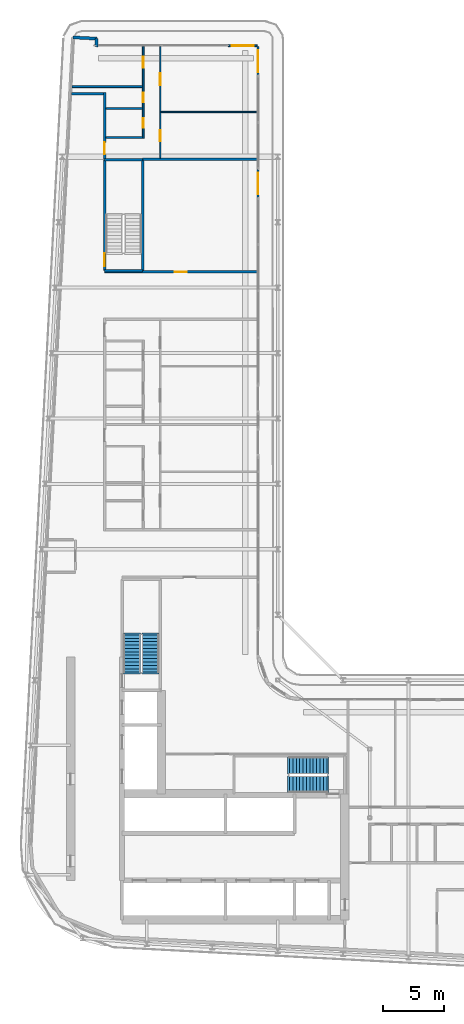
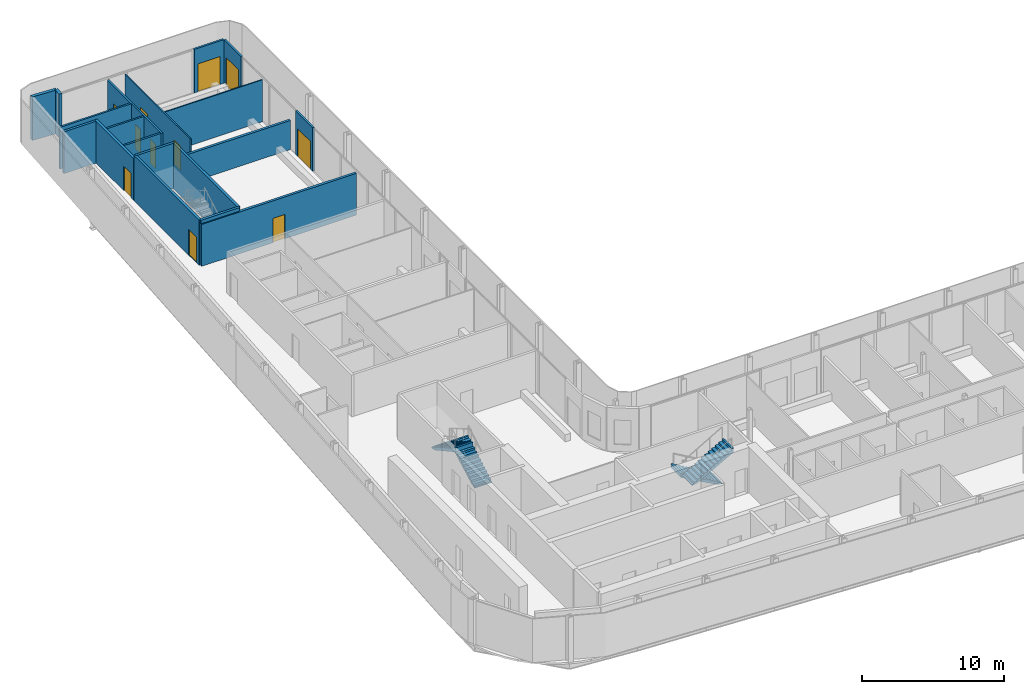
# One storey, part 14 of 22: 19 walls, 11 doors, 4 stair flights, 11 openings, 2 elements without a shape of their own.
"""IFC4 building model written with IfcOpenShell, lengths in metres."""

import ifcopenshell
import ifcopenshell.guid

model = None  # the IFC model being written
_history = None  # IfcOwnerHistory: only IFC2X3 demands one
_inside = {}  # id of a spatial element -> (the spatial element, [elements in it])
_under = {}  # id of a project, library or spatial element -> (it, [spatial elements below it])
_declared = {}  # id of a project -> (the project, [libraries it declares])
_typed = {}  # id of a type object -> (the type object, [elements of that type])
_made_of = {}  # id of a material, layer set ... -> (it, [elements and type objects made of it])


def new_model(schema):
    """Start an empty IFC model of exactly this schema.

    Asked for "IFC4X3", IfcOpenShell would pick the latest addendum, in which some entities
    have other attributes; the version numbers below select the first issue.
    IFC2X3 requires an IfcOwnerHistory on every rooted entity: one is made here for all.
    """
    global model, _history
    if schema == "IFC4X3":
        model = ifcopenshell.file(schema_version=(4, 3, 0, 0))
    else:
        model = ifcopenshell.file(schema=schema)
    _inside.clear()
    _under.clear()
    _declared.clear()
    _typed.clear()
    _made_of.clear()
    _history = None
    if model.schema == "IFC2X3":
        org = make("IfcOrganization", Name="unknown")
        user = make(
            "IfcPersonAndOrganization",
            ThePerson=make("IfcPerson", FamilyName="unknown"),
            TheOrganization=org,
        )
        app = make(
            "IfcApplication",
            ApplicationDeveloper=org,
            Version="unknown",
            ApplicationFullName="unknown",
            ApplicationIdentifier="unknown",
        )
        _history = make(
            "IfcOwnerHistory",
            OwningUser=user,
            OwningApplication=app,
            ChangeAction="ADDED",
            CreationDate=0,
        )
    return model


def make(cls, **values):
    """One entity of the class cls with the attributes given. An attribute that is None is left unset."""
    return model.create_entity(
        cls, **{name: value for name, value in values.items() if value is not None}
    )


def rooted(cls, **values):
    """An entity with a GlobalId (a new one), such as an element, a storey or a relation."""
    return make(cls, GlobalId=ifcopenshell.guid.new(), OwnerHistory=_history, **values)


def si_unit(unit_type, name, prefix=None):
    """IfcSIUnit, for example si_unit("LENGTHUNIT", "METRE", prefix="MILLI")."""
    return make("IfcSIUnit", UnitType=unit_type, Prefix=prefix, Name=name)


def assignment(units):
    """IfcUnitAssignment: the units of a project."""
    return None if units is None else make("IfcUnitAssignment", Units=units)


def point(xyz):
    """IfcCartesianPoint."""
    return None if xyz is None else make("IfcCartesianPoint", Coordinates=xyz)


def direction(xyz):
    """IfcDirection."""
    return None if xyz is None else make("IfcDirection", DirectionRatios=xyz)


def frame(location, z_axis=None, x_axis=None):
    """IfcAxis2Placement3D, a coordinate frame: its origin and axes. An axis left out is left unset."""
    return make(
        "IfcAxis2Placement3D",
        Location=point(location),
        Axis=direction(z_axis),
        RefDirection=direction(x_axis),
    )


def frame_2d(location, x_axis=None):
    """IfcAxis2Placement2D, a coordinate frame in the plane: its origin and x axis."""
    return make(
        "IfcAxis2Placement2D", Location=point(location), RefDirection=direction(x_axis)
    )


def origin():
    """The frame at (0, 0, 0) with its axes left unset."""
    return frame((0.0, 0.0, 0.0))


def place(relative_to, where):
    """IfcLocalPlacement: puts the frame where relative to a parent placement (None: the world)."""
    return make(
        "IfcLocalPlacement", PlacementRelTo=relative_to, RelativePlacement=where
    )


def context(
    kind, dimensions, precision=None, world=None, true_north=None, identifier=None
):
    """IfcGeometricRepresentationContext, for example the 3D "Model" context."""
    return make(
        "IfcGeometricRepresentationContext",
        ContextIdentifier=identifier,
        ContextType=kind,
        CoordinateSpaceDimension=dimensions,
        Precision=precision,
        WorldCoordinateSystem=world,
        TrueNorth=true_north,
    )


def subcontext(parent, identifier, kind, view, scale=None):
    """IfcGeometricRepresentationSubContext, for example "Body" below "Model"."""
    return make(
        "IfcGeometricRepresentationSubContext",
        ContextIdentifier=identifier,
        ContextType=kind,
        ParentContext=parent,
        TargetScale=scale,
        TargetView=view,
    )


def project(units=None, contexts=None):
    """IfcProject with its units and contexts."""
    return rooted(
        "IfcProject",
        Name="project",
        RepresentationContexts=contexts,
        UnitsInContext=assignment(units),
    )


def spatial(cls, under=None, at=None, **own):
    """A site, building, storey or space (cls), placed at a placement, below another one or the project."""
    s = rooted(cls, ObjectPlacement=at, **own)
    if under is not None:
        _under.setdefault(under.id(), (under, []))[1].append(s)
    return s


def polyline(points):
    """IfcPolyline through the points."""
    return make("IfcPolyline", Points=[point(p) for p in points])


def profile(cls, at=None, kind="AREA", **sizes):
    """A parametric profile (cls). Its sizes go by their IFC names, for example OverallWidth=200.0."""
    return make(cls, ProfileType=kind, Position=at, **sizes)


def rectangle(**sizes):
    """IfcRectangleProfileDef."""
    return profile("IfcRectangleProfileDef", **sizes)


def outline(outer, holes=None, kind="AREA"):
    """IfcArbitraryClosedProfileDef: a profile drawn as a closed curve; with holes, ...WithVoids."""
    if holes is None:
        return make("IfcArbitraryClosedProfileDef", ProfileType=kind, OuterCurve=outer)
    return make(
        "IfcArbitraryProfileDefWithVoids",
        ProfileType=kind,
        OuterCurve=outer,
        InnerCurves=holes,
    )


def extrude(swept, where, along, depth):
    """IfcExtrudedAreaSolid: the profile swept, set in the frame where, extruded along a direction by depth."""
    return make(
        "IfcExtrudedAreaSolid",
        SweptArea=swept,
        Position=where,
        ExtrudedDirection=direction(along),
        Depth=depth,
    )


def shape(context_of_items, identifier, shape_type, items):
    """IfcShapeRepresentation: the items that make up one representation, for example the "Body"."""
    return make(
        "IfcShapeRepresentation",
        ContextOfItems=context_of_items,
        RepresentationIdentifier=identifier,
        RepresentationType=shape_type,
        Items=items,
    )


def source(mapping_origin, context_of_items, identifier, shape_type, items):
    """IfcRepresentationMap: a shape defined once, which mapped items show again and again."""
    return make(
        "IfcRepresentationMap",
        MappingOrigin=mapping_origin,
        MappedRepresentation=shape(context_of_items, identifier, shape_type, items),
    )


def transform(
    local_origin,
    x_axis=None,
    y_axis=None,
    z_axis=None,
    scale=None,
    scale2=None,
    scale3=None,
    uniform=True,
):
    """IfcCartesianTransformationOperator3D, or its non-uniform kind. x_axis, y_axis, z_axis: its Axis1, 2, 3."""
    if uniform:
        return make(
            "IfcCartesianTransformationOperator3D",
            Axis1=direction(x_axis),
            Axis2=direction(y_axis),
            LocalOrigin=point(local_origin),
            Scale=scale,
            Axis3=direction(z_axis),
        )
    return make(
        "IfcCartesianTransformationOperator3DnonUniform",
        Axis1=direction(x_axis),
        Axis2=direction(y_axis),
        LocalOrigin=point(local_origin),
        Scale=scale,
        Axis3=direction(z_axis),
        Scale2=scale2,
        Scale3=scale3,
    )


def mapped(mapping_source, mapping_target):
    """IfcMappedItem: shows the shape of a source again, moved by a transform."""
    return make(
        "IfcMappedItem", MappingSource=mapping_source, MappingTarget=mapping_target
    )


def material(Name=None, Category=None):
    """IfcMaterial."""
    return make("IfcMaterial", Name=Name, Category=Category)


def layer(
    of_material, thickness, ventilated=None, Name=None, Category=None, Priority=None
):
    """IfcMaterialLayer: one layer of a wall or slab, of a material (None: an air gap)."""
    return make(
        "IfcMaterialLayer",
        Material=of_material,
        LayerThickness=thickness,
        IsVentilated=ventilated,
        Name=Name,
        Category=Category,
        Priority=Priority,
    )


def layer_set(layers, Name=None):
    """IfcMaterialLayerSet."""
    return make("IfcMaterialLayerSet", MaterialLayers=layers, LayerSetName=Name)


def made_of(thing, what):
    """Note that an element or type object is made of a material, layer set ...; save() writes the relation."""
    if what is not None:
        _made_of.setdefault(what.id(), (what, []))[1].append(thing)
    return thing


def type_object(cls, material=None, **own):
    """A type object (cls), such as IfcWallType, which elements share."""
    return made_of(rooted(cls, **own), material)


def element(
    cls,
    number,
    at=None,
    inside=None,
    cuts=None,
    type_object=None,
    material=None,
    context=None,
    identifier="Body",
    shape_type=None,
    held_by="IfcProductDefinitionShape",
    body=None,
    shapes=None,
    **own,
):
    """One element of the class cls, such as IfcWall. Its Tag is "e" and its number.

    at: its placement. inside: the storey or other place that contains it. cuts: it is an
    opening in that element (IfcRelVoidsElement). A single representation is given by context,
    identifier, shape_type and body (its items); several are given by shapes. held_by: the class
    of the entity that holds the representations. save() writes the other relations.
    """
    e = rooted(cls, Tag="e%d" % number, ObjectPlacement=at, **own)
    if body is not None:
        shapes = [shape(context, identifier, shape_type, body)]
    if shapes is not None:
        e.Representation = make(held_by, Representations=shapes)
    if inside is not None:
        _inside.setdefault(inside.id(), (inside, []))[1].append(e)
    if cuts is not None:
        rooted(
            "IfcRelVoidsElement", RelatingBuildingElement=cuts, RelatedOpeningElement=e
        )
    if type_object is not None:
        _typed.setdefault(type_object.id(), (type_object, []))[1].append(e)
    return made_of(e, material)


def fill(opening, filler):
    """IfcRelFillsElement: the door or window that sits in an opening."""
    return rooted(
        "IfcRelFillsElement",
        RelatingOpeningElement=opening,
        RelatedBuildingElement=filler,
    )


def aggregate(whole, parts):
    """IfcRelAggregates: a whole, such as a stair, and the parts it consists of."""
    return rooted("IfcRelAggregates", RelatingObject=whole, RelatedObjects=parts)


def save(model, path):
    """Write the relations noted so far, then the file.

    IfcRelAggregates (storeys below a building ...), IfcRelContainedInSpatialStructure (elements
    in a storey), IfcRelDefinesByType, IfcRelAssociatesMaterial and IfcRelDeclares: one each for
    every whole, place, type object, material and project.
    """
    for whole, parts in _under.values():
        aggregate(whole, parts)
    for where, things in _inside.values():
        rooted(
            "IfcRelContainedInSpatialStructure",
            RelatedElements=things,
            RelatingStructure=where,
        )
    for kind, things in _typed.values():
        rooted("IfcRelDefinesByType", RelatedObjects=things, RelatingType=kind)
    for what, things in _made_of.values():
        rooted("IfcRelAssociatesMaterial", RelatedObjects=things, RelatingMaterial=what)
    for by, libraries in _declared.values():
        rooted("IfcRelDeclares", RelatingContext=by, RelatedDefinitions=libraries)
    model.write(path)


model = new_model("IFC4")

# Units and contexts
model_context = context("Model", 3, precision=1e-05, world=origin(), true_north=direction((0.0, 1.0)))
body_context = subcontext(model_context, "Body", "Model", "MODEL_VIEW")
ifc_project = project(units=[si_unit("LENGTHUNIT", "METRE"), si_unit("AREAUNIT", "SQUARE_METRE"), si_unit("VOLUMEUNIT", "CUBIC_METRE"), si_unit("PLANEANGLEUNIT", "RADIAN"), si_unit("MASSUNIT", "GRAM", prefix="KILO")], contexts=[model_context])

# Site, building, storey
site_placement = place(None, origin())
site = spatial("IfcSite", under=ifc_project, at=site_placement, CompositionType="ELEMENT")
building_placement = place(site_placement, origin())
building = spatial("IfcBuilding", under=site, at=building_placement, Name="Kheshtan School and Residences Tower", CompositionType="ELEMENT")
storey_placement = place(building_placement, frame((0.0, 0.0, 251.300048828125)))
storey = spatial("IfcBuildingStorey", under=building, at=storey_placement, Name="L59", CompositionType="ELEMENT", Elevation=251.300048828125)

# Wall
ifc_material_1 = material(Name="Gypsum board on steel studs with fire boards", Category="steel")
ifc_layer_1 = layer(ifc_material_1, 0.199951171875)
ifc_layer_set_1 = layer_set([ifc_layer_1], Name="Corridor wall 200")
wall_type_1 = type_object("IfcWallType", Name="Corridor wall 200", PredefinedType="PARTITIONING", material=ifc_layer_set_1)
wall_1_placement = place(storey_placement, frame((30.584716796875, 94.0, 0.0), z_axis=(0.0, 0.0, 1.0), x_axis=(1.0, 0.0, 0.0)))
element("IfcWall", 1, at=wall_1_placement, inside=storey, type_object=wall_type_1, Name="Partition L59-002", PredefinedType="PARTITIONING", context=body_context, shape_type="SweptSolid", body=[
    extrude(rectangle(XDim=2.615234375, YDim=0.199951171875, at=frame_2d((1.3076171875, 0.0))), origin(), (0.0, 0.0, 1.0), 3.599853515625),
])

# Wall, opening, door
wall_2_placement = place(storey_placement, frame((33.300048828125, 79.300048828125, 0.0), z_axis=(0.0, 0.0, 1.0), x_axis=(1.0, 0.0, 0.0)))
wall_2 = element("IfcWall", 2, at=wall_2_placement, inside=storey, type_object=wall_type_1, Name="Partition L59-004", PredefinedType="PARTITIONING", context=body_context, shape_type="SweptSolid", body=[
    extrude(rectangle(XDim=12.599853515625, YDim=0.199951171875, at=frame_2d((6.2998046875, 0.0))), origin(), (0.0, 0.0, 1.0), 3.599853515625),
])
opening_1_placement = place(wall_2_placement, frame((5.794921875, 0.0, 0.0)))
opening_1 = element("IfcOpeningElement", 3, at=opening_1_placement, cuts=wall_2, Name="Opening D58-043", PredefinedType="OPENING", context=body_context, shape_type="SweptSolid", body=[
    extrude(rectangle(XDim=1.0, YDim=2.10009765625, at=frame_2d((0.5, 1.050048828125))), frame((0.0, 0.10986328125, 0.0), z_axis=(0.0, -1.0, 0.0), x_axis=(1.0, 0.0, 0.0)), (0.0, 0.0, 1.0), 0.219970703125),
])
ifc_material_2 = material(Name="Steel-framed fire-resisting door leaf", Category="steel")
door_type_1 = type_object("IfcDoorType", Name="Fire door FD60 1000 x 2100", OperationType="SINGLE_SWING_LEFT", PredefinedType="DOOR", material=ifc_material_2)
shared_shape_1 = source(origin(), body_context, "Body", "SweptSolid", [
    extrude(rectangle(XDim=1.0, YDim=2.10009765625, at=frame_2d((0.5, 1.050048828125))), frame((0.0, 0.02490234375, 0.0), z_axis=(0.0, -1.0, 0.0), x_axis=(1.0, 0.0, 0.0)), (0.0, 0.0, 1.0), 0.050048828125),
])
door_1_placement = place(opening_1_placement, origin())
door_1 = element("IfcDoor", 4, at=door_1_placement, inside=storey, type_object=door_type_1, Name="Door D58-043", OperationType="SINGLE_SWING_RIGHT", OverallHeight=2.10009765625, OverallWidth=1.0, PredefinedType="DOOR", context=body_context, shape_type="MappedRepresentation", body=[
    mapped(shared_shape_1, transform((0.0, 0.0, 0.0), x_axis=(1.0, 0.0, 0.0), y_axis=(0.0, 1.0, 0.0), z_axis=(0.0, 0.0, 1.0), scale=1.0)),
])
fill(opening_1, door_1)

wall_3_placement = place(storey_placement, frame((33.300048828125, 88.60009765625, 0.0), z_axis=(0.0, 0.0, 1.0), x_axis=(0.0, 1.0, 0.0)))
wall_3 = element("IfcWall", 5, at=wall_3_placement, inside=storey, type_object=wall_type_1, Name="Partition L59-005", PredefinedType="PARTITIONING", context=body_context, shape_type="SweptSolid", body=[
    extrude(rectangle(XDim=5.5, YDim=0.199951171875, at=frame_2d((2.75, 0.0))), origin(), (0.0, 0.0, 1.0), 3.599853515625),
])
opening_2_placement = place(wall_3_placement, frame((0.39990234375, 0.0, 0.0)))
opening_2 = element("IfcOpeningElement", 6, at=opening_2_placement, cuts=wall_3, Name="Opening D58-036", PredefinedType="OPENING", context=body_context, shape_type="SweptSolid", body=[
    extrude(rectangle(XDim=1.0, YDim=2.10009765625, at=frame_2d((0.5, 1.050048828125))), frame((0.0, 0.10986328125, 0.0), z_axis=(0.0, -1.0, 0.0), x_axis=(1.0, 0.0, 0.0)), (0.0, 0.0, 1.0), 0.219970703125),
])
door_type_2 = type_object("IfcDoorType", Name="Fire door FD30S 1000 x 2100", OperationType="SINGLE_SWING_LEFT", PredefinedType="DOOR", material=ifc_material_2)
shared_shape_2 = source(origin(), body_context, "Body", "SweptSolid", [
    extrude(rectangle(XDim=1.0, YDim=2.10009765625, at=frame_2d((0.5, 1.050048828125))), frame((0.0, 0.02490234375, 0.0), z_axis=(0.0, -1.0, 0.0), x_axis=(1.0, 0.0, 0.0)), (0.0, 0.0, 1.0), 0.050048828125),
])
door_2_placement = place(opening_2_placement, origin())
door_2 = element("IfcDoor", 7, at=door_2_placement, inside=storey, type_object=door_type_2, Name="Door D58-036", OperationType="SINGLE_SWING_LEFT", OverallHeight=2.10009765625, OverallWidth=1.0, PredefinedType="DOOR", context=body_context, shape_type="MappedRepresentation", body=[
    mapped(shared_shape_2, transform((0.0, 0.0, 0.0), x_axis=(1.0, 0.0, 0.0), y_axis=(0.0, 1.0, 0.0), z_axis=(0.0, 0.0, 1.0), scale=1.0)),
])
fill(opening_2, door_2)

# Walls
ifc_material_3 = material(Name="Concrete C40/50 with ceramic cladding and mineral wool insulation", Category="concrete")
ifc_layer_2 = layer(ifc_material_3, 0.25)
ifc_layer_set_2 = layer_set([ifc_layer_2], Name="External wall 250 ceramic clad")
wall_type_2 = type_object("IfcWallType", Name="External wall 250 ceramic clad", PredefinedType="SOLIDWALL", material=ifc_layer_set_2)
wall_4_placement = place(storey_placement, frame((30.705078125, 98.6640625, 0.0), z_axis=(0.0, 0.0, 1.0), x_axis=(0.998577785791, -0.053314216913, 0.0)))
element("IfcWall", 8, at=wall_4_placement, inside=storey, type_object=wall_type_2, Name="External wall L59 5", PredefinedType="SOLIDWALL", context=body_context, shape_type="SweptSolid", body=[
    extrude(rectangle(XDim=1.95068359375, YDim=0.25, at=frame_2d((0.975341796875, 0.0))), origin(), (0.0, 0.0, 1.0), 3.75),
])
wall_5_placement = place(storey_placement, frame((32.653076171875, 98.56005859375, 0.0), z_axis=(0.0, 0.0, 1.0), x_axis=(-0.054093451632, -0.998535877418, 0.0)))
element("IfcWall", 9, at=wall_5_placement, inside=storey, type_object=wall_type_2, Name="External wall L59 6", PredefinedType="SOLIDWALL", context=body_context, shape_type="SweptSolid", body=[
    extrude(rectangle(XDim=0.66796875, YDim=0.25, at=frame_2d((0.333984375, 0.0))), origin(), (0.0, 0.0, 1.0), 3.75),
])

# Wall, opening, door
ifc_material_4 = material(Name="Aluminium frame wall with insulated infill", Category="aluminium")
ifc_layer_3 = layer(ifc_material_4, 0.14990234375)
ifc_layer_set_3 = layer_set([ifc_layer_3], Name="Glazing frame wall 150")
wall_type_3 = type_object("IfcWallType", Name="Glazing frame wall 150", PredefinedType="SOLIDWALL", material=ifc_layer_set_3)
wall_6_placement = place(storey_placement, frame((43.5, 97.97509765625, 0.0), z_axis=(0.0, 0.0, 1.0), x_axis=(1.0, 0.0, 0.0)))
wall_6 = element("IfcWall", 10, at=wall_6_placement, inside=storey, type_object=wall_type_3, Name="Balcony door wall L59 7.1", PredefinedType="SOLIDWALL", context=body_context, shape_type="SweptSolid", body=[
    extrude(rectangle(XDim=2.39990234375, YDim=0.14990234375, at=frame_2d((1.199951171875, 0.0))), origin(), (0.0, 0.0, 1.0), 3.75),
])
opening_3_placement = place(wall_6_placement, frame((0.300048828125, 0.0, 0.0)))
opening_3 = element("IfcOpeningElement", 11, at=opening_3_placement, cuts=wall_6, Name="Opening BD", PredefinedType="OPENING", context=body_context, shape_type="SweptSolid", body=[
    extrude(rectangle(XDim=1.800048828125, YDim=2.39990234375, at=frame_2d((0.89990234375, 1.199951171875))), frame((0.0, 0.0849609375, 0.0), z_axis=(0.0, -1.0, 0.0), x_axis=(1.0, 0.0, 0.0)), (0.0, 0.0, 1.0), 0.169921875),
])
ifc_material_5 = material(Name="Clear low-e glass in thermally broken aluminium frame", Category="aluminium")
door_type_3 = type_object("IfcDoorType", Name="Balcony sliding door", OperationType="SLIDING_TO_LEFT", PredefinedType="DOOR", material=ifc_material_5)
shared_shape_3 = source(origin(), body_context, "Body", "SweptSolid", [
    extrude(rectangle(XDim=1.800048828125, YDim=2.39990234375, at=frame_2d((0.89990234375, 1.199951171875))), frame((0.0, 0.02490234375, 0.0), z_axis=(0.0, -1.0, 0.0), x_axis=(1.0, 0.0, 0.0)), (0.0, 0.0, 1.0), 0.050048828125),
])
door_3_placement = place(opening_3_placement, origin())
door_3 = element("IfcDoor", 12, at=door_3_placement, inside=storey, type_object=door_type_3, Name="Balcony door L59 7.1", OperationType="SLIDING_TO_LEFT", OverallHeight=2.39990234375, OverallWidth=1.800048828125, PredefinedType="DOOR", context=body_context, shape_type="MappedRepresentation", body=[
    mapped(shared_shape_3, transform((0.0, 0.0, 0.0), x_axis=(1.0, 0.0, 0.0), y_axis=(0.0, 1.0, 0.0), z_axis=(0.0, 0.0, 1.0), scale=1.0)),
])
fill(opening_3, door_3)

wall_7_placement = place(storey_placement, frame((45.97509765625, 97.89990234375, 0.0), z_axis=(0.0, 0.0, 1.0), x_axis=(0.0, -1.0, 0.0)))
wall_7 = element("IfcWall", 13, at=wall_7_placement, inside=storey, type_object=wall_type_3, Name="Balcony door wall L59 8.1", PredefinedType="SOLIDWALL", context=body_context, shape_type="SweptSolid", body=[
    extrude(rectangle(XDim=2.39990234375, YDim=0.14990234375, at=frame_2d((1.199951171875, 0.0))), origin(), (0.0, 0.0, 1.0), 3.75),
])
opening_4_placement = place(wall_7_placement, frame((0.300048828125, 0.0, 0.0)))
opening_4 = element("IfcOpeningElement", 14, at=opening_4_placement, cuts=wall_7, Name="Opening BD", PredefinedType="OPENING", context=body_context, shape_type="SweptSolid", body=[
    extrude(rectangle(XDim=1.800048828125, YDim=2.39990234375, at=frame_2d((0.89990234375, 1.199951171875))), frame((0.0, 0.0849609375, 0.0), z_axis=(0.0, -1.0, 0.0), x_axis=(1.0, 0.0, 0.0)), (0.0, 0.0, 1.0), 0.169921875),
])
door_4_placement = place(opening_4_placement, origin())
door_4 = element("IfcDoor", 15, at=door_4_placement, inside=storey, type_object=door_type_3, Name="Balcony door L59 8.1", OperationType="SLIDING_TO_LEFT", OverallHeight=2.39990234375, OverallWidth=1.800048828125, PredefinedType="DOOR", context=body_context, shape_type="MappedRepresentation", body=[
    mapped(shared_shape_3, transform((0.0, 0.0, 0.0), x_axis=(1.0, 0.0, 0.0), y_axis=(0.0, 1.0, 0.0), z_axis=(0.0, 0.0, 1.0), scale=1.0)),
])
fill(opening_4, door_4)

wall_8_placement = place(storey_placement, frame((45.97509765625, 87.805908203125, 0.0), z_axis=(0.0, 0.0, 1.0), x_axis=(0.0, -1.0, 0.0)))
wall_8 = element("IfcWall", 16, at=wall_8_placement, inside=storey, type_object=wall_type_3, Name="Balcony door wall L59 8.2", PredefinedType="SOLIDWALL", context=body_context, shape_type="SweptSolid", body=[
    extrude(rectangle(XDim=2.39990234375, YDim=0.14990234375, at=frame_2d((1.199951171875, 0.0))), origin(), (0.0, 0.0, 1.0), 3.75),
])
opening_5_placement = place(wall_8_placement, frame((0.300048828125, 0.0, 0.0)))
opening_5 = element("IfcOpeningElement", 17, at=opening_5_placement, cuts=wall_8, Name="Opening BD", PredefinedType="OPENING", context=body_context, shape_type="SweptSolid", body=[
    extrude(rectangle(XDim=1.800048828125, YDim=2.39990234375, at=frame_2d((0.89990234375, 1.199951171875))), frame((0.0, 0.0849609375, 0.0), z_axis=(0.0, -1.0, 0.0), x_axis=(1.0, 0.0, 0.0)), (0.0, 0.0, 1.0), 0.169921875),
])
door_5_placement = place(opening_5_placement, origin())
door_5 = element("IfcDoor", 18, at=door_5_placement, inside=storey, type_object=door_type_3, Name="Balcony door L59 8.2", OperationType="SLIDING_TO_LEFT", OverallHeight=2.39990234375, OverallWidth=1.800048828125, PredefinedType="DOOR", context=body_context, shape_type="MappedRepresentation", body=[
    mapped(shared_shape_3, transform((0.0, 0.0, 0.0), x_axis=(1.0, 0.0, 0.0), y_axis=(0.0, 1.0, 0.0), z_axis=(0.0, 0.0, 1.0), scale=1.0)),
])
fill(opening_5, door_5)

# Wall, openings, doors
ifc_material_6 = material(Name="Gypsum board on steel studs", Category="steel")
ifc_layer_4 = layer(ifc_material_6, 0.10009765625)
ifc_layer_set_4 = layer_set([ifc_layer_4], Name="Gypsum partition 100")
wall_type_4 = type_object("IfcWallType", Name="Gypsum partition 100", PredefinedType="PARTITIONING", material=ifc_layer_set_4)
wall_9_placement = place(storey_placement, frame((37.89990234375, 88.699951171875, 0.0), z_axis=(0.0, 0.0, 1.0), x_axis=(0.0, 1.0, 0.0)))
wall_9 = element("IfcWall", 19, at=wall_9_placement, inside=storey, type_object=wall_type_4, Name="Partition L59-024", PredefinedType="PARTITIONING", context=body_context, shape_type="SweptSolid", body=[
    extrude(rectangle(XDim=9.199951171875, YDim=0.10009765625, at=frame_2d((4.60009765625, 0.0))), origin(), (0.0, 0.0, 1.0), 3.599853515625),
])
opening_6_placement = place(wall_9_placement, frame((1.39990234375, 0.0, 0.0)))
opening_6 = element("IfcOpeningElement", 20, at=opening_6_placement, cuts=wall_9, Name="Opening D58-035", PredefinedType="OPENING", context=body_context, shape_type="SweptSolid", body=[
    extrude(rectangle(XDim=0.89990234375, YDim=2.10009765625, at=frame_2d((0.449951171875, 1.050048828125))), frame((0.0, 0.06005859375, 0.0), z_axis=(0.0, -1.0, 0.0), x_axis=(1.0, 0.0, 0.0)), (0.0, 0.0, 1.0), 0.1201171875),
])
opening_7_placement = place(wall_9_placement, frame((6.0, 0.0, 0.0)))
opening_7 = element("IfcOpeningElement", 21, at=opening_7_placement, cuts=wall_9, Name="Opening D58-038", PredefinedType="OPENING", context=body_context, shape_type="SweptSolid", body=[
    extrude(rectangle(XDim=1.0, YDim=2.10009765625, at=frame_2d((0.5, 1.050048828125))), frame((0.0, 0.06005859375, 0.0), z_axis=(0.0, -1.0, 0.0), x_axis=(1.0, 0.0, 0.0)), (0.0, 0.0, 1.0), 0.1201171875),
])
ifc_material_7 = material(Name="Veneered timber door leaf", Category="wood")
door_type_4 = type_object("IfcDoorType", Name="Door 1000 x 2100", OperationType="SINGLE_SWING_LEFT", PredefinedType="DOOR", material=ifc_material_7)
shared_shape_4 = source(origin(), body_context, "Body", "SweptSolid", [
    extrude(rectangle(XDim=1.0, YDim=2.10009765625, at=frame_2d((0.5, 1.050048828125))), frame((0.0, 0.02490234375, 0.0), z_axis=(0.0, -1.0, 0.0), x_axis=(1.0, 0.0, 0.0)), (0.0, 0.0, 1.0), 0.050048828125),
])
door_6_placement = place(opening_7_placement, origin())
door_6 = element("IfcDoor", 22, at=door_6_placement, inside=storey, type_object=door_type_4, Name="Door D58-038", OperationType="SINGLE_SWING_RIGHT", OverallHeight=2.10009765625, OverallWidth=1.0, PredefinedType="DOOR", context=body_context, shape_type="MappedRepresentation", body=[
    mapped(shared_shape_4, transform((0.0, 0.0, 0.0), x_axis=(1.0, 0.0, 0.0), y_axis=(0.0, 1.0, 0.0), z_axis=(0.0, 0.0, 1.0), scale=1.0)),
])
fill(opening_7, door_6)
door_type_5 = type_object("IfcDoorType", Name="Door 900 x 2100", OperationType="SINGLE_SWING_LEFT", PredefinedType="DOOR", material=ifc_material_7)
shared_shape_5 = source(origin(), body_context, "Body", "SweptSolid", [
    extrude(rectangle(XDim=0.89990234375, YDim=2.10009765625, at=frame_2d((0.449951171875, 1.050048828125))), frame((0.0, 0.02490234375, 0.0), z_axis=(0.0, -1.0, 0.0), x_axis=(1.0, 0.0, 0.0)), (0.0, 0.0, 1.0), 0.050048828125),
])
door_7_placement = place(opening_6_placement, origin())
door_7 = element("IfcDoor", 23, at=door_7_placement, inside=storey, type_object=door_type_5, Name="Door D58-035", OperationType="SINGLE_SWING_LEFT", OverallHeight=2.10009765625, OverallWidth=0.89990234375, PredefinedType="DOOR", context=body_context, shape_type="MappedRepresentation", body=[
    mapped(shared_shape_5, transform((0.0, 0.0, 0.0), x_axis=(1.0, 0.0, 0.0), y_axis=(0.0, 1.0, 0.0), z_axis=(0.0, 0.0, 1.0), scale=1.0)),
])
fill(opening_6, door_7)

# Walls
wall_10_placement = place(storey_placement, frame((37.949951171875, 92.5, 0.0), z_axis=(0.0, 0.0, 1.0), x_axis=(1.0, 0.0, 0.0)))
element("IfcWall", 24, at=wall_10_placement, inside=storey, type_object=wall_type_4, Name="Partition L59-027", PredefinedType="PARTITIONING", context=body_context, shape_type="SweptSolid", body=[
    extrude(rectangle(XDim=7.949951171875, YDim=0.10009765625, at=frame_2d((3.97509765625, 0.0))), origin(), (0.0, 0.0, 1.0), 3.599853515625),
])
ifc_material_8 = material(Name="Concrete C40/50", Category="concrete")
ifc_layer_5 = layer(ifc_material_8, 0.199951171875)
ifc_layer_set_5 = layer_set([ifc_layer_5], Name="Stair enclosure wall 200 Concrete C40/50")
wall_type_5 = type_object("IfcWallType", Name="Stair enclosure wall 200 Concrete C40/50", PredefinedType="SHEAR", material=ifc_layer_set_5)
for number, where, z_axis, x_axis, name in (
    (25, (33.300048828125, 79.39990234375, 0.0), (0.0, 0.0, 1.0), (1.0, 0.0, 0.0), "Stair enclosure wall ST3"),
    (26, (33.300048828125, 88.56005859375, 0.0), (0.0, 0.0, 1.0), (1.0, 0.0, 0.0), "Stair enclosure wall ST3"),
):
    element("IfcWall", number, at=place(storey_placement, frame(where, z_axis=z_axis, x_axis=x_axis)), inside=storey, type_object=wall_type_5, Name=name, PredefinedType="SHEAR", context=body_context, shape_type="SweptSolid", body=[
        extrude(rectangle(XDim=3.14990234375, YDim=0.199951171875, at=frame_2d((1.574951171875, 0.0))), origin(), (0.0, 0.0, 1.0), 3.89990234375),
    ])

# Wall, opening, door
wall_11_placement = place(storey_placement, frame((33.300048828125, 79.39990234375, 0.0), z_axis=(0.0, 0.0, 1.0), x_axis=(0.0, 1.0, 0.0)))
wall_11 = element("IfcWall", 27, at=wall_11_placement, inside=storey, type_object=wall_type_5, Name="Stair enclosure wall ST3", PredefinedType="SHEAR", context=body_context, shape_type="SweptSolid", body=[
    extrude(rectangle(XDim=9.16015625, YDim=0.199951171875, at=frame_2d((4.580078125, 0.0))), origin(), (0.0, 0.0, 1.0), 3.89990234375),
])
opening_8_placement = place(wall_11_placement, frame((0.35009765625, 0.0, 0.0)))
opening_8 = element("IfcOpeningElement", 28, at=opening_8_placement, cuts=wall_11, Name="Opening ST3D", PredefinedType="OPENING", context=body_context, shape_type="SweptSolid", body=[
    extrude(rectangle(XDim=1.10009765625, YDim=2.199951171875, at=frame_2d((0.550048828125, 1.10009765625))), frame((0.0, 0.10986328125, 0.0), z_axis=(0.0, -1.0, 0.0), x_axis=(1.0, 0.0, 0.0)), (0.0, 0.0, 1.0), 0.219970703125),
])
ifc_material_9 = material(Name="Steel door leaf, galvanised", Category="steel")
door_type_6 = type_object("IfcDoorType", Name="Stair door 1100 steel 90 min", OperationType="SINGLE_SWING_LEFT", PredefinedType="DOOR", material=ifc_material_9)
shared_shape_6 = source(origin(), body_context, "Body", "SweptSolid", [
    extrude(rectangle(XDim=1.10009765625, YDim=2.199951171875, at=frame_2d((0.550048828125, 1.10009765625))), frame((0.0, 0.02490234375, 0.0), z_axis=(0.0, -1.0, 0.0), x_axis=(1.0, 0.0, 0.0)), (0.0, 0.0, 1.0), 0.050048828125),
])
door_8_placement = place(opening_8_placement, origin())
door_8 = element("IfcDoor", 29, at=door_8_placement, inside=storey, type_object=door_type_6, Name="Stair ST3 door", OperationType="SINGLE_SWING_RIGHT", OverallHeight=2.199951171875, OverallWidth=1.10009765625, PredefinedType="DOOR", context=body_context, shape_type="MappedRepresentation", body=[
    mapped(shared_shape_6, transform((0.0, 0.0, 0.0), x_axis=(1.0, 0.0, 0.0), y_axis=(0.0, 1.0, 0.0), z_axis=(0.0, 0.0, 1.0), scale=1.0)),
])
fill(opening_8, door_8)

# Walls
wall_12_placement = place(storey_placement, frame((36.449951171875, 79.39990234375, 0.0), z_axis=(0.0, 0.0, 1.0), x_axis=(0.0, 1.0, 0.0)))
element("IfcWall", 30, at=wall_12_placement, inside=storey, type_object=wall_type_5, Name="Stair enclosure wall ST3", PredefinedType="SHEAR", context=body_context, shape_type="SweptSolid", body=[
    extrude(rectangle(XDim=9.16015625, YDim=0.199951171875, at=frame_2d((4.580078125, 0.0))), origin(), (0.0, 0.0, 1.0), 3.89990234375),
])
ifc_material_10 = material(Name="Twin gypsum board on steel studs with mineral wool", Category="steel")
ifc_layer_6 = layer(ifc_material_10, 0.199951171875)
ifc_layer_set_6 = layer_set([ifc_layer_6], Name="Unit demising wall 200")
wall_type_6 = type_object("IfcWallType", Name="Unit demising wall 200", PredefinedType="PARTITIONING", material=ifc_layer_set_6)
wall_13_placement = place(storey_placement, frame((36.449951171875, 88.60009765625, 0.0), z_axis=(0.0, 0.0, 1.0), x_axis=(1.0, 0.0, 0.0)))
element("IfcWall", 31, at=wall_13_placement, inside=storey, type_object=wall_type_6, Name="Partition L59-020", PredefinedType="PARTITIONING", context=body_context, shape_type="SweptSolid", body=[
    extrude(rectangle(XDim=9.449951171875, YDim=0.199951171875, at=frame_2d((4.72509765625, 0.0))), origin(), (0.0, 0.0, 1.0), 2.5),
])
ifc_material_11 = material(Name="Moisture-resistant gypsum board on steel studs", Category="steel")
ifc_layer_7 = layer(ifc_material_11, 0.14990234375)
ifc_layer_set_7 = layer_set([ifc_layer_7], Name="Wet-room partition 150")
wall_type_7 = type_object("IfcWallType", Name="Wet-room partition 150", PredefinedType="PARTITIONING", material=ifc_layer_set_7)
wall_14_placement = place(storey_placement, frame((30.616943359375, 94.60009765625, 0.0), z_axis=(0.0, 0.0, 1.0), x_axis=(1.0, 0.0, 0.0)))
element("IfcWall", 32, at=wall_14_placement, inside=storey, type_object=wall_type_7, Name="Partition L59-001", PredefinedType="PARTITIONING", context=body_context, shape_type="SweptSolid", body=[
    extrude(rectangle(XDim=5.80810546875, YDim=0.14990234375, at=frame_2d((2.904052734375, 0.0))), origin(), (0.0, 0.0, 1.0), 3.599853515625),
])
for number, where, z_axis, x_axis, name in (
    (33, (33.39990234375, 90.39990234375, 0.0), (0.0, 0.0, 1.0), (1.0, 0.0, 0.0), "Partition L59-015"),
    (34, (33.39990234375, 92.800048828125, 0.0), (0.0, 0.0, 1.0), (1.0, 0.0, 0.0), "Partition L59-016"),
):
    element("IfcWall", number, at=place(storey_placement, frame(where, z_axis=z_axis, x_axis=x_axis)), inside=storey, type_object=wall_type_7, Name=name, PredefinedType="PARTITIONING", context=body_context, shape_type="SweptSolid", body=[
        extrude(rectangle(XDim=3.025146484375, YDim=0.14990234375, at=frame_2d((1.5126953125, 0.0))), origin(), (0.0, 0.0, 1.0), 3.599853515625),
    ])

# Wall, openings, doors
wall_15_placement = place(storey_placement, frame((36.5, 90.324951171875, 0.0), z_axis=(0.0, 0.0, 1.0), x_axis=(0.0, 1.0, 0.0)))
wall_15 = element("IfcWall", 35, at=wall_15_placement, inside=storey, type_object=wall_type_7, Name="Partition L59-021", PredefinedType="PARTITIONING", context=body_context, shape_type="SweptSolid", body=[
    extrude(rectangle(XDim=7.574951171875, YDim=0.14990234375, at=frame_2d((3.78759765625, 0.0))), origin(), (0.0, 0.0, 1.0), 3.599853515625),
])
opening_9_placement = place(wall_15_placement, frame((0.875, 0.0, 0.0)))
opening_9 = element("IfcOpeningElement", 36, at=opening_9_placement, cuts=wall_15, Name="Opening D58-034", PredefinedType="OPENING", context=body_context, shape_type="SweptSolid", body=[
    extrude(rectangle(XDim=0.800048828125, YDim=2.10009765625, at=frame_2d((0.39990234375, 1.050048828125))), frame((0.0, 0.0849609375, 0.0), z_axis=(0.0, -1.0, 0.0), x_axis=(1.0, 0.0, 0.0)), (0.0, 0.0, 1.0), 0.169921875),
])
opening_10_placement = place(wall_15_placement, frame((5.824951171875, 0.0, 0.0)))
opening_10 = element("IfcOpeningElement", 37, at=opening_10_placement, cuts=wall_15, Name="Opening D58-037", PredefinedType="OPENING", context=body_context, shape_type="SweptSolid", body=[
    extrude(rectangle(XDim=0.89990234375, YDim=2.10009765625, at=frame_2d((0.449951171875, 1.050048828125))), frame((0.0, 0.0849609375, 0.0), z_axis=(0.0, -1.0, 0.0), x_axis=(1.0, 0.0, 0.0)), (0.0, 0.0, 1.0), 0.169921875),
])
opening_11_placement = place(wall_15_placement, frame((2.97509765625, 0.0, 0.0)))
opening_11 = element("IfcOpeningElement", 38, at=opening_11_placement, cuts=wall_15, Name="Opening D58-039", PredefinedType="OPENING", context=body_context, shape_type="SweptSolid", body=[
    extrude(rectangle(XDim=0.800048828125, YDim=2.10009765625, at=frame_2d((0.39990234375, 1.050048828125))), frame((0.0, 0.0849609375, 0.0), z_axis=(0.0, -1.0, 0.0), x_axis=(1.0, 0.0, 0.0)), (0.0, 0.0, 1.0), 0.169921875),
])
door_type_7 = type_object("IfcDoorType", Name="Door 800 x 2100", OperationType="SINGLE_SWING_LEFT", PredefinedType="DOOR", material=ifc_material_7)
shared_shape_7 = source(origin(), body_context, "Body", "SweptSolid", [
    extrude(rectangle(XDim=0.800048828125, YDim=2.10009765625, at=frame_2d((0.39990234375, 1.050048828125))), frame((0.0, 0.02490234375, 0.0), z_axis=(0.0, -1.0, 0.0), x_axis=(1.0, 0.0, 0.0)), (0.0, 0.0, 1.0), 0.050048828125),
])
door_9_placement = place(opening_9_placement, origin())
door_9 = element("IfcDoor", 39, at=door_9_placement, inside=storey, type_object=door_type_7, Name="Door D58-034", OperationType="SINGLE_SWING_LEFT", OverallHeight=2.10009765625, OverallWidth=0.800048828125, PredefinedType="DOOR", context=body_context, shape_type="MappedRepresentation", body=[
    mapped(shared_shape_7, transform((0.0, 0.0, 0.0), x_axis=(1.0, 0.0, 0.0), y_axis=(0.0, 1.0, 0.0), z_axis=(0.0, 0.0, 1.0), scale=1.0)),
])
fill(opening_9, door_9)
door_10_placement = place(opening_11_placement, origin())
door_10 = element("IfcDoor", 40, at=door_10_placement, inside=storey, type_object=door_type_7, Name="Door D58-039", OperationType="SINGLE_SWING_RIGHT", OverallHeight=2.10009765625, OverallWidth=0.800048828125, PredefinedType="DOOR", context=body_context, shape_type="MappedRepresentation", body=[
    mapped(shared_shape_7, transform((0.0, 0.0, 0.0), x_axis=(1.0, 0.0, 0.0), y_axis=(0.0, 1.0, 0.0), z_axis=(0.0, 0.0, 1.0), scale=1.0)),
])
fill(opening_11, door_10)
door_11_placement = place(opening_10_placement, origin())
door_11 = element("IfcDoor", 41, at=door_11_placement, inside=storey, type_object=door_type_5, Name="Door D58-037", OperationType="SINGLE_SWING_LEFT", OverallHeight=2.10009765625, OverallWidth=0.89990234375, PredefinedType="DOOR", context=body_context, shape_type="MappedRepresentation", body=[
    mapped(shared_shape_5, transform((0.0, 0.0, 0.0), x_axis=(1.0, 0.0, 0.0), y_axis=(0.0, 1.0, 0.0), z_axis=(0.0, 0.0, 1.0), scale=1.0)),
])
fill(opening_10, door_11)

# Stair, stair flights
stair_type = type_object("IfcStairType", Name="Exit stair, half-turn", PredefinedType="HALF_TURN_STAIR", material=ifc_material_8)
stair_1_placement = place(storey_placement, origin())
stair_1 = element("IfcStair", 42, at=stair_1_placement, inside=storey, type_object=stair_type, Name="L59 Protected Exit Stair ST1", PredefinedType="HALF_TURN_STAIR")
ifc_layer_8 = layer(ifc_material_8, 0.14990234375)
ifc_layer_set_8 = layer_set([ifc_layer_8], Name="Stair flight 1400 Concrete C40/50")
stair_flight_type = type_object("IfcStairFlightType", Name="Stair flight 1400 Concrete C40/50", PredefinedType="STRAIGHT", material=ifc_layer_set_8)
stair_flight_1_placement = place(storey_placement, frame((51.64990234375, 38.550048828125, 0.0), z_axis=(0.0, 0.0, 1.0), x_axis=(-1.0, 0.0, 0.0)))
stair_flight_1 = element("IfcStairFlight", 43, at=stair_flight_1_placement, type_object=stair_flight_type, Name="ST1 flight 1", NumberOfRisers=12, NumberOfTreads=11, PredefinedType="STRAIGHT", RiserHeight=0.1625, TreadLength=0.28, context=body_context, shape_type="SweptSolid", body=[
    extrude(outline(polyline([(-0.14990234375, -0.10009765625), (-0.14990234375, 0.0), (0.0, 0.0), (0.0, 0.16259765625), (0.280029296875, 0.16259765625), (0.280029296875, 0.324951171875), (0.56005859375, 0.324951171875), (0.56005859375, 0.487548828125), (0.840087890625, 0.487548828125), (0.840087890625, 0.64990234375), (1.1201171875, 0.64990234375), (1.1201171875, 0.8125), (1.39990234375, 0.8125), (1.39990234375, 0.97509765625), (1.679931640625, 0.97509765625), (1.679931640625, 1.137451171875), (1.9599609375, 1.137451171875), (1.9599609375, 1.300048828125), (2.239990234375, 1.300048828125), (2.239990234375, 1.46240234375), (2.52001953125, 1.46240234375), (2.52001953125, 1.625), (2.800048828125, 1.625), (2.800048828125, 1.78759765625), (3.080078125, 1.78759765625), (3.080078125, 1.949951171875), (3.080078125, 1.969970703125), (3.22998046875, 1.969970703125), (3.22998046875, 1.6142578125), (0.298583984375, 0.0), (-0.14990234375, -0.10009765625)])), frame((0.0, 0.699951171875, 0.0), z_axis=(0.0, -1.0, 0.0), x_axis=(1.0, 0.0, 0.0)), (0.0, 0.0, 1.0), 1.39990234375),
])
stair_flight_2_placement = place(storey_placement, frame((48.570068359375, 37.0, 1.949951171875), z_axis=(0.0, 0.0, 1.0), x_axis=(1.0, 0.0, 0.0)))
stair_flight_2 = element("IfcStairFlight", 44, at=stair_flight_2_placement, type_object=stair_flight_type, Name="ST1 flight 2", NumberOfRisers=12, NumberOfTreads=11, PredefinedType="STRAIGHT", RiserHeight=0.1625, TreadLength=0.28, context=body_context, shape_type="SweptSolid", body=[
    extrude(outline(polyline([(-0.14990234375, -0.10009765625), (-0.14990234375, 0.0), (0.0, 0.0), (0.0, 0.16259765625), (0.280029296875, 0.16259765625), (0.280029296875, 0.324951171875), (0.56005859375, 0.324951171875), (0.56005859375, 0.487548828125), (0.840087890625, 0.487548828125), (0.840087890625, 0.64990234375), (1.1201171875, 0.64990234375), (1.1201171875, 0.8125), (1.39990234375, 0.8125), (1.39990234375, 0.97509765625), (1.679931640625, 0.97509765625), (1.679931640625, 1.137451171875), (1.9599609375, 1.137451171875), (1.9599609375, 1.300048828125), (2.239990234375, 1.300048828125), (2.239990234375, 1.46240234375), (2.52001953125, 1.46240234375), (2.52001953125, 1.625), (2.800048828125, 1.625), (2.800048828125, 1.78759765625), (3.080078125, 1.78759765625), (3.080078125, 1.949951171875), (3.080078125, 1.969970703125), (3.22998046875, 1.969970703125), (3.22998046875, 1.6142578125), (0.298583984375, 0.0), (-0.14990234375, -0.10009765625)])), frame((0.0, 0.699951171875, 0.0), z_axis=(0.0, -1.0, 0.0), x_axis=(1.0, 0.0, 0.0)), (0.0, 0.0, 1.0), 1.39990234375),
])
aggregate(stair_1, [stair_flight_1, stair_flight_2])

stair_2_placement = place(storey_placement, origin())
stair_2 = element("IfcStair", 45, at=stair_2_placement, inside=storey, type_object=stair_type, Name="L59 Protected Exit Stair ST2", PredefinedType="HALF_TURN_STAIR")
stair_flight_3_placement = place(storey_placement, frame((37.10009765625, 46.25, 0.0), z_axis=(0.0, 0.0, 1.0), x_axis=(0.0, 1.0, 0.0)))
stair_flight_3 = element("IfcStairFlight", 46, at=stair_flight_3_placement, type_object=stair_flight_type, Name="ST2 flight 1", NumberOfRisers=12, NumberOfTreads=11, PredefinedType="STRAIGHT", RiserHeight=0.1625, TreadLength=0.28, context=body_context, shape_type="SweptSolid", body=[
    extrude(outline(polyline([(-0.14990234375, -0.10009765625), (-0.14990234375, 0.0), (0.0, 0.0), (0.0, 0.16259765625), (0.280029296875, 0.16259765625), (0.280029296875, 0.324951171875), (0.56005859375, 0.324951171875), (0.56005859375, 0.487548828125), (0.840087890625, 0.487548828125), (0.840087890625, 0.64990234375), (1.1201171875, 0.64990234375), (1.1201171875, 0.8125), (1.39990234375, 0.8125), (1.39990234375, 0.97509765625), (1.679931640625, 0.97509765625), (1.679931640625, 1.137451171875), (1.9599609375, 1.137451171875), (1.9599609375, 1.300048828125), (2.239990234375, 1.300048828125), (2.239990234375, 1.46240234375), (2.52001953125, 1.46240234375), (2.52001953125, 1.625), (2.800048828125, 1.625), (2.800048828125, 1.78759765625), (3.080078125, 1.78759765625), (3.080078125, 1.949951171875), (3.080078125, 1.969970703125), (3.22998046875, 1.969970703125), (3.22998046875, 1.6142578125), (0.298583984375, 0.0), (-0.14990234375, -0.10009765625)])), frame((0.0, 0.699951171875, 0.0), z_axis=(0.0, -1.0, 0.0), x_axis=(1.0, 0.0, 0.0)), (0.0, 0.0, 1.0), 1.39990234375),
])
stair_flight_4_placement = place(storey_placement, frame((35.550048828125, 49.330078125, 1.949951171875), z_axis=(0.0, 0.0, 1.0), x_axis=(0.0, -1.0, 0.0)))
stair_flight_4 = element("IfcStairFlight", 47, at=stair_flight_4_placement, type_object=stair_flight_type, Name="ST2 flight 2", NumberOfRisers=12, NumberOfTreads=11, PredefinedType="STRAIGHT", RiserHeight=0.1625, TreadLength=0.28, context=body_context, shape_type="SweptSolid", body=[
    extrude(outline(polyline([(-0.14990234375, -0.10009765625), (-0.14990234375, 0.0), (0.0, 0.0), (0.0, 0.16259765625), (0.280029296875, 0.16259765625), (0.280029296875, 0.324951171875), (0.56005859375, 0.324951171875), (0.56005859375, 0.487548828125), (0.840087890625, 0.487548828125), (0.840087890625, 0.64990234375), (1.1201171875, 0.64990234375), (1.1201171875, 0.8125), (1.39990234375, 0.8125), (1.39990234375, 0.97509765625), (1.679931640625, 0.97509765625), (1.679931640625, 1.137451171875), (1.9599609375, 1.137451171875), (1.9599609375, 1.300048828125), (2.239990234375, 1.300048828125), (2.239990234375, 1.46240234375), (2.52001953125, 1.46240234375), (2.52001953125, 1.625), (2.800048828125, 1.625), (2.800048828125, 1.78759765625), (3.080078125, 1.78759765625), (3.080078125, 1.949951171875), (3.080078125, 1.969970703125), (3.22998046875, 1.969970703125), (3.22998046875, 1.6142578125), (0.298583984375, 0.0), (-0.14990234375, -0.10009765625)])), frame((0.0, 0.699951171875, 0.0), z_axis=(0.0, -1.0, 0.0), x_axis=(1.0, 0.0, 0.0)), (0.0, 0.0, 1.0), 1.39990234375),
])
aggregate(stair_2, [stair_flight_3, stair_flight_4])

save(model, "model.ifc")
